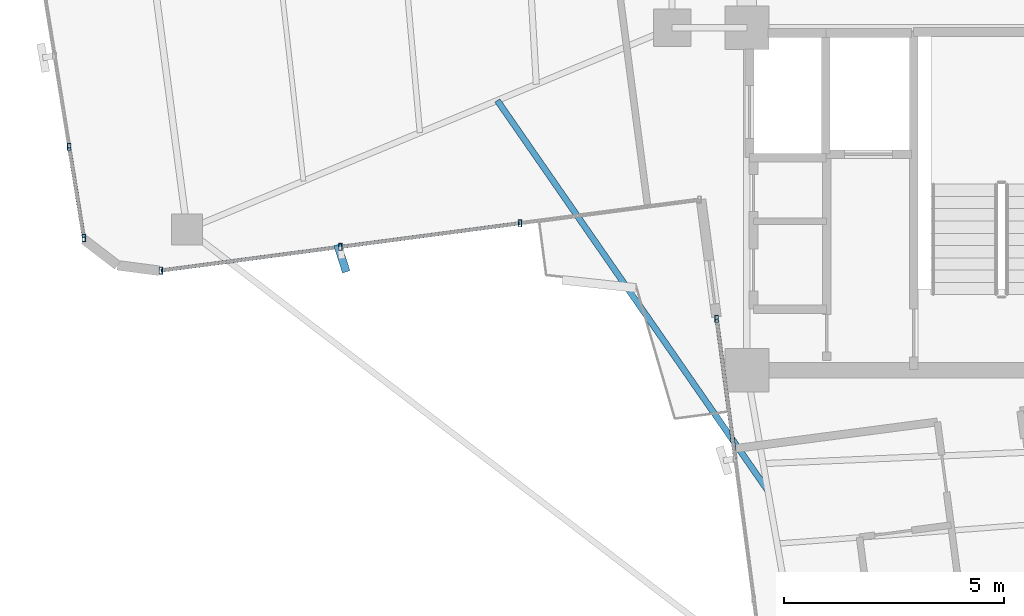
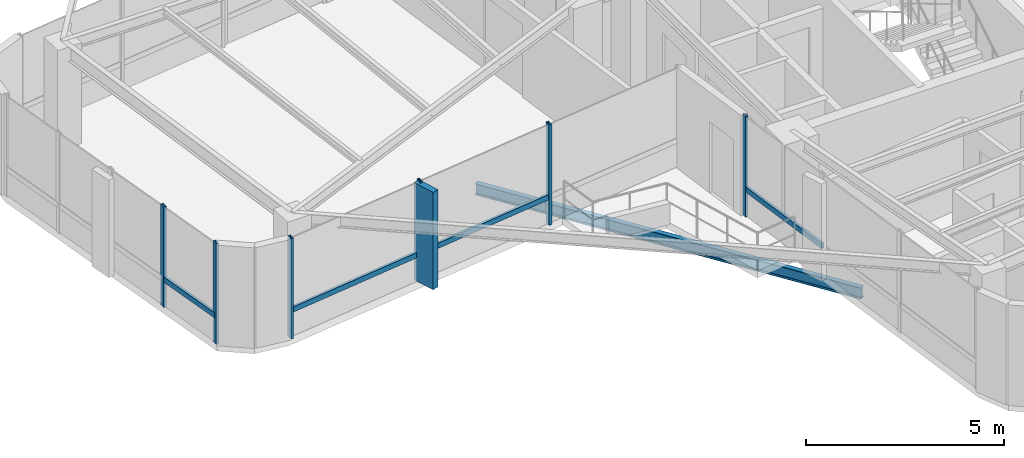
# One storey, part 2 of 22: 11 members, 1 beam, 3 elements without a shape of their own.
"""IFC4 building model written with IfcOpenShell, lengths in metres."""

from ifc_helpers import new_model, si_unit, direction, frame, origin, origin_2d, place, context, subcontext, project, spatial, rectangle, hollow_rectangle, i_section, extrude, source, transform, mapped, material, material_profile, profile_set, type_object, element, aggregate, save


model = new_model("IFC4")

# Units and contexts
model_context = context("Model", 3, precision=1e-05, world=origin(), true_north=direction((0.0, 1.0)))
body_context = subcontext(model_context, "Body", "Model", "MODEL_VIEW")
ifc_project = project(units=[si_unit("LENGTHUNIT", "METRE"), si_unit("AREAUNIT", "SQUARE_METRE"), si_unit("VOLUMEUNIT", "CUBIC_METRE"), si_unit("PLANEANGLEUNIT", "RADIAN"), si_unit("MASSUNIT", "GRAM", prefix="KILO")], contexts=[model_context])

# Site, building, storey
site_placement = place(None, origin())
site = spatial("IfcSite", under=ifc_project, at=site_placement, CompositionType="ELEMENT")
building_placement = place(site_placement, origin())
building = spatial("IfcBuilding", under=site, at=building_placement, Name="Sahyath Konkavel Grand Hotel", CompositionType="ELEMENT")
storey_placement = place(building_placement, frame((0.0, 0.0, 237.800048828125)))
storey = spatial("IfcBuildingStorey", under=building, at=storey_placement, Name="L66", CompositionType="ELEMENT", Elevation=237.800048828125)

# Curtain wall, members
ifc_material_1 = material(Name="Anodised Bronze Aluminium & Low-E Glazing", Category="aluminium")
curtain_wall_type = type_object("IfcCurtainWallType", Name="CW-ZONE4", PredefinedType="NOTDEFINED", material=ifc_material_1)
curtain_wall_1_placement = place(storey_placement, origin())
curtain_wall_1 = element("IfcCurtainWall", 1, at=curtain_wall_1_placement, inside=storey, type_object=curtain_wall_type, Name="L66 Unitised Curtain Wall F20", PredefinedType="NOTDEFINED")
ifc_material_2 = material(Name="Anodised Bronze Aluminium", Category="aluminium")
ifc_material_profile_1 = material_profile(ifc_material_2, hollow_rectangle(XDim=0.080078125, YDim=0.159912109375, WallThickness=0.006103515625, at=origin_2d()), Name="RHS 160x80x6")
ifc_profile_set_1 = profile_set([ifc_material_profile_1], Name="Anodised Bronze Aluminium")
member_type_1 = type_object("IfcMemberType", Name="CW-MUL-160", PredefinedType="MULLION", material=ifc_profile_set_1)
shared_shape_1 = source(origin(), body_context, "Body", "SweptSolid", [
    extrude(hollow_rectangle(XDim=0.080078125, YDim=0.159912109375, WallThickness=0.006103515625, at=origin_2d()), origin(), (0.0, 0.0, 1.0), 3.10986328125),
])
member_1_placement = place(storey_placement, frame((-19.231689453125, -5.115234375, 0.0), z_axis=(0.0, 0.0, 1.0), x_axis=(1.0, 0.0, 0.0)))
member_1 = element("IfcMember", 2, at=member_1_placement, type_object=member_type_1, Name="L66 Curtain Wall Mullion F20-3", PredefinedType="MULLION", context=body_context, shape_type="MappedRepresentation", body=[
    mapped(shared_shape_1, transform((0.0, 0.0, 0.0), scale=1.0)),
])
member_2_placement = place(storey_placement, frame((-18.896728515625, -7.18798828125, 0.0), z_axis=(0.0, 0.0, 1.0), x_axis=(1.0, 0.0, 0.0)))
member_2 = element("IfcMember", 3, at=member_2_placement, type_object=member_type_1, Name="L66 Curtain Wall Mullion F20-4", PredefinedType="MULLION", context=body_context, shape_type="MappedRepresentation", body=[
    mapped(shared_shape_1, transform((0.0, 0.0, 0.0), scale=1.0)),
])

curtain_wall_2_placement = place(storey_placement, origin())
curtain_wall_2 = element("IfcCurtainWall", 4, at=curtain_wall_2_placement, inside=storey, type_object=curtain_wall_type, Name="L66 Unitised Curtain Wall F23", PredefinedType="NOTDEFINED")
member_3_placement = place(storey_placement, frame((-17.1416015625, -7.930419921875, 0.0), z_axis=(0.0, 0.0, 1.0), x_axis=(1.0, 0.0, 0.0)))
member_3 = element("IfcMember", 5, at=member_3_placement, type_object=member_type_1, Name="L66 Curtain Wall Mullion F23-0", PredefinedType="MULLION", context=body_context, shape_type="MappedRepresentation", body=[
    mapped(shared_shape_1, transform((0.0, 0.0, 0.0), scale=1.0)),
])
member_4_placement = place(storey_placement, frame((-13.05517578125, -7.392333984375, 0.0), z_axis=(0.0, 0.0, 1.0), x_axis=(1.0, 0.0, 0.0)))
member_4 = element("IfcMember", 6, at=member_4_placement, type_object=member_type_1, Name="L66 Curtain Wall Mullion F23-1", PredefinedType="MULLION", context=body_context, shape_type="MappedRepresentation", body=[
    mapped(shared_shape_1, transform((0.0, 0.0, 0.0), scale=1.0)),
])
member_5_placement = place(storey_placement, frame((-8.96875, -6.854248046875, 0.0), z_axis=(0.0, 0.0, 1.0), x_axis=(1.0, 0.0, 0.0)))
member_5 = element("IfcMember", 7, at=member_5_placement, type_object=member_type_1, Name="L66 Curtain Wall Mullion F23-2", PredefinedType="MULLION", context=body_context, shape_type="MappedRepresentation", body=[
    mapped(shared_shape_1, transform((0.0, 0.0, 0.0), scale=1.0)),
])

# Curtain wall, member
curtain_wall_3_placement = place(storey_placement, origin())
curtain_wall_3 = element("IfcCurtainWall", 8, at=curtain_wall_3_placement, inside=storey, type_object=curtain_wall_type, Name="L66 Unitised Curtain Wall F24", PredefinedType="NOTDEFINED")
member_6_placement = place(storey_placement, frame((-4.485107421875, -9.027587890625, 0.0), z_axis=(0.0, 0.0, 1.0), x_axis=(1.0, 0.0, 0.0)))
member_6 = element("IfcMember", 9, at=member_6_placement, type_object=member_type_1, Name="L66 Curtain Wall Mullion F24-0", PredefinedType="MULLION", context=body_context, shape_type="MappedRepresentation", body=[
    mapped(shared_shape_1, transform((0.0, 0.0, 0.0), scale=1.0)),
])

# Member
ifc_material_3 = material(Name="Warm Buff Sandstone Cladding on Concrete C50/60", Category="masonry")
ifc_material_profile_2 = material_profile(ifc_material_3, rectangle(XDim=0.179931640625, YDim=0.64990234375, at=origin_2d()), Name="FIN 180x650")
ifc_profile_set_2 = profile_set([ifc_material_profile_2], Name="Warm Buff Sandstone Cladding on Concrete C50/60")
member_type_2 = type_object("IfcMemberType", Name="FIN-SANDSTONE-650", PredefinedType="MULLION", material=ifc_profile_set_2)
shared_shape_2 = source(origin(), body_context, "Body", "SweptSolid", [
    extrude(rectangle(XDim=0.179931640625, YDim=0.64990234375, at=origin_2d()), origin(), (0.0, 0.0, 1.0), 3.010009765625),
])
member_7_placement = place(storey_placement, frame((-13.021240234375, -7.650146484375, 0.050048828125), z_axis=(0.0, 0.0, 1.0), x_axis=(0.952502159334, 0.304531831612, 0.0)))
member_7 = element("IfcMember", 10, at=member_7_placement, type_object=member_type_2, Name="L66 Sandstone Vertical Solar Fin FIN F23-1", PredefinedType="MULLION", context=body_context, shape_type="MappedRepresentation", body=[
    mapped(shared_shape_2, transform((0.0, 0.0, 0.0), scale=1.0)),
])

ifc_material_profile_3 = material_profile(ifc_material_2, hollow_rectangle(XDim=0.080078125, YDim=0.159912109375, WallThickness=0.006103515625, at=origin_2d()), Name="RHS 160x80x6")
ifc_profile_set_3 = profile_set([ifc_material_profile_3], Name="Anodised Bronze Aluminium")
member_type_3 = type_object("IfcMemberType", Name="CW-TRN-160", PredefinedType="USERDEFINED", material=ifc_profile_set_3)
shared_shape_3 = source(origin(), body_context, "Body", "SweptSolid", [
    extrude(hollow_rectangle(XDim=0.080078125, YDim=0.159912109375, WallThickness=0.006103515625, at=origin_2d()), origin(), (0.0, 0.0, 1.0), 3.2216796875),
])
member_8_placement = place(storey_placement, frame((-4.485107421875, -9.027587890625, 0.849853515625), z_axis=(0.130495678972, -0.991448878041, 0.0), x_axis=(0.991448878041, 0.130495678972, 0.0)))
member_8 = element("IfcMember", 11, at=member_8_placement, type_object=member_type_3, Name="L66 Curtain Wall Transom F24-0-spandrel", ObjectType="TRANSOM", PredefinedType="USERDEFINED", context=body_context, shape_type="MappedRepresentation", body=[
    mapped(shared_shape_3, transform((0.0, 0.0, 0.0), scale=1.0)),
])

aggregate(curtain_wall_3, [member_6, member_8])

shared_shape_4 = source(origin(), body_context, "Body", "SweptSolid", [
    extrude(hollow_rectangle(XDim=0.080078125, YDim=0.159912109375, WallThickness=0.006103515625, at=origin_2d()), origin(), (0.0, 0.0, 1.0), 2.099609375),
])
member_9_placement = place(storey_placement, frame((-19.231689453125, -5.115234375, 0.849853515625), z_axis=(0.159532204741, -0.987192724675, 0.0), x_axis=(0.987192724675, 0.159532204741, 0.0)))
member_9 = element("IfcMember", 12, at=member_9_placement, type_object=member_type_3, Name="L66 Curtain Wall Transom F20-3-spandrel", ObjectType="TRANSOM", PredefinedType="USERDEFINED", context=body_context, shape_type="MappedRepresentation", body=[
    mapped(shared_shape_4, transform((0.0, 0.0, 0.0), scale=1.0)),
])

aggregate(curtain_wall_1, [member_1, member_2, member_9])

shared_shape_5 = source(origin(), body_context, "Body", "SweptSolid", [
    extrude(hollow_rectangle(XDim=0.080078125, YDim=0.159912109375, WallThickness=0.006103515625, at=origin_2d()), origin(), (0.0, 0.0, 1.0), 4.12158203125),
])
member_10_placement = place(storey_placement, frame((-17.1416015625, -7.930419921875, 0.849853515625), z_axis=(0.991441791177, 0.13054951056, 0.0), x_axis=(-0.13054951056, 0.991441791177, 0.0)))
member_10 = element("IfcMember", 13, at=member_10_placement, type_object=member_type_3, Name="L66 Curtain Wall Transom F23-0-spandrel", ObjectType="TRANSOM", PredefinedType="USERDEFINED", context=body_context, shape_type="MappedRepresentation", body=[
    mapped(shared_shape_5, transform((0.0, 0.0, 0.0), scale=1.0)),
])

member_11_placement = place(storey_placement, frame((-13.05517578125, -7.392333984375, 0.849853515625), z_axis=(0.991441791177, 0.13054951056, 0.0), x_axis=(-0.13054951056, 0.991441791177, 0.0)))
member_11 = element("IfcMember", 14, at=member_11_placement, type_object=member_type_3, Name="L66 Curtain Wall Transom F23-1-spandrel", ObjectType="TRANSOM", PredefinedType="USERDEFINED", context=body_context, shape_type="MappedRepresentation", body=[
    mapped(shared_shape_5, transform((0.0, 0.0, 0.0), scale=1.0)),
])

aggregate(curtain_wall_2, [member_3, member_4, member_7, member_5, member_10, member_11])

# Beam
ifc_material_4 = material(Name="Steel E350", Category="steel")
ifc_material_profile_4 = material_profile(ifc_material_4, i_section(OverallWidth=0.139892578125, OverallDepth=0.35009765625, WebThickness=0.008056640625, FlangeThickness=0.01416015625, FilletRadius=0.013916015625, at=origin_2d()), Name="ISMB 350")
ifc_profile_set_4 = profile_set([ifc_material_profile_4], Name="Steel E350")
beam_type = type_object("IfcBeamType", Name="BM-BALC-CANT", PredefinedType="BEAM", material=ifc_profile_set_4)
shared_shape_6 = source(origin(), body_context, "Body", "SweptSolid", [
    extrude(i_section(OverallWidth=0.139892578125, OverallDepth=0.35009765625, WebThickness=0.008056640625, FlangeThickness=0.01416015625, FilletRadius=0.013916015625, at=origin_2d()), origin(), (0.0, 0.0, 1.0), 10.80908203125),
])
beam_placement = place(storey_placement, frame((-9.48193359375, -4.05615234375, -0.4150390625), z_axis=(0.569765384828, -0.821807402164, 0.0), x_axis=(0.821807402164, 0.569765384828, 0.0)))
element("IfcBeam", 15, at=beam_placement, inside=storey, type_object=beam_type, Name="L66 Balcony Cantilever Support Beam SW", PredefinedType="BEAM", context=body_context, shape_type="MappedRepresentation", body=[
    mapped(shared_shape_6, transform((0.0, 0.0, 0.0), scale=1.0)),
])

save(model, "model.ifc")
